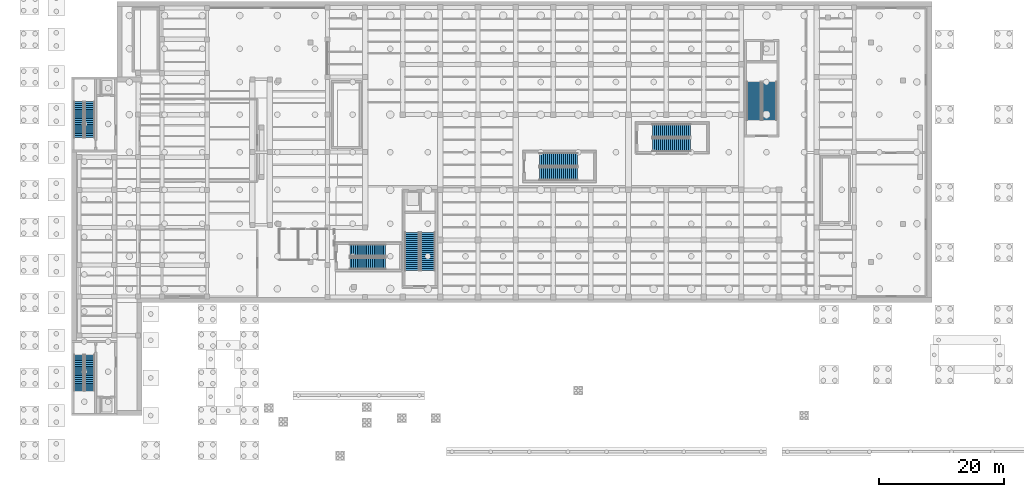
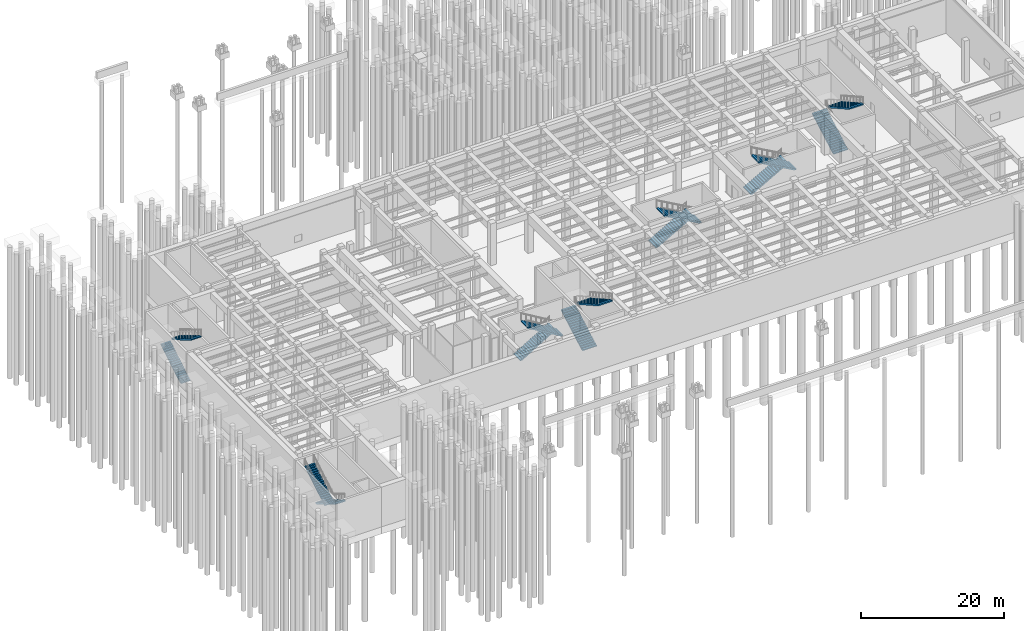
# One storey, part 20 of 30: 14 stair flights, 7 elements without a shape of their own.
"""IFC4 building model written with IfcOpenShell, lengths in metres."""

from ifc_helpers import new_model, si_unit, direction, frame, origin, place, context, subcontext, project, spatial, polyline, outline, extrude, material, type_object, element, aggregate, save


model = new_model("IFC4")

# Units and contexts
model_context = context("Model", 3, precision=1e-05, world=origin(), true_north=direction((0.0, 1.0)))
body_context = subcontext(model_context, "Body", "Model", "MODEL_VIEW")
ifc_project = project(units=[si_unit("LENGTHUNIT", "METRE"), si_unit("AREAUNIT", "SQUARE_METRE"), si_unit("VOLUMEUNIT", "CUBIC_METRE"), si_unit("PLANEANGLEUNIT", "RADIAN"), si_unit("MASSUNIT", "GRAM", prefix="KILO")], contexts=[model_context])

# Site, building, storey
site_placement = place(None, origin())
site = spatial("IfcSite", under=ifc_project, at=site_placement, CompositionType="ELEMENT")
building_placement = place(site_placement, origin())
building = spatial("IfcBuilding", under=site, at=building_placement, Name="Kolvaren Corner Interchange", CompositionType="ELEMENT")
storey_placement = place(building_placement, frame((0.0, 0.0, -7.199951171875)))
storey = spatial("IfcBuildingStorey", under=building, at=storey_placement, Name="B1", CompositionType="ELEMENT", Elevation=-7.199951171875)

# Stair, stair flights
ifc_material_1 = material(Name="Concrete C35/45", Category="concrete")
stair_type_1 = type_object("IfcStairType", Name="ST-FF-1550", PredefinedType="HALF_TURN_STAIR", material=ifc_material_1)
stair_1_placement = place(storey_placement, origin())
stair_1 = element("IfcStair", 1, at=stair_1_placement, inside=storey, type_object=stair_type_1, Name="Core C1 Southwest Firefighting Stair B1 to L01 Stair", PredefinedType="HALF_TURN_STAIR")
ifc_material_2 = material(Name="Concrete C35/45", Category="concrete")
stair_flight_type_1 = type_object("IfcStairFlightType", Name="SFT-FF-1550", PredefinedType="STRAIGHT", material=ifc_material_2)
stair_flight_1_placement = place(storey_placement, frame((10.074951171875, 15.64990234375, 0.0), z_axis=(0.0, 0.0, 1.0), x_axis=(0.0, -1.0, 0.0)))
stair_flight_1 = element("IfcStairFlight", 2, at=stair_flight_1_placement, type_object=stair_flight_type_1, Name="Core C1 Southwest Firefighting Stair B1 Lower Flight", NumberOfRisers=20, NumberOfTreads=19, PredefinedType="STRAIGHT", RiserHeight=0.18, TreadLength=0.3, context=body_context, shape_type="SweptSolid", body=[
    extrude(outline(polyline([(0.0, 0.0), (0.0, 0.179931640625), (0.300048828125, 0.179931640625), (0.300048828125, 0.360107421875), (0.60009765625, 0.360107421875), (0.60009765625, 0.5400390625), (0.89990234375, 0.5400390625), (0.89990234375, 0.719970703125), (1.199951171875, 0.719970703125), (1.199951171875, 0.89990234375), (1.5, 0.89990234375), (1.5, 1.080078125), (1.800048828125, 1.080078125), (1.800048828125, 1.260009765625), (2.10009765625, 1.260009765625), (2.10009765625, 1.43994140625), (2.39990234375, 1.43994140625), (2.39990234375, 1.6201171875), (2.699951171875, 1.6201171875), (2.699951171875, 1.800048828125), (3.0, 1.800048828125), (3.0, 1.97998046875), (3.300048828125, 1.97998046875), (3.300048828125, 2.159912109375), (3.60009765625, 2.159912109375), (3.60009765625, 2.340087890625), (3.89990234375, 2.340087890625), (3.89990234375, 2.52001953125), (4.199951171875, 2.52001953125), (4.199951171875, 2.699951171875), (4.5, 2.699951171875), (4.5, 2.8798828125), (4.800048828125, 2.8798828125), (4.800048828125, 3.06005859375), (5.10009765625, 3.06005859375), (5.10009765625, 3.239990234375), (5.39990234375, 3.239990234375), (5.39990234375, 3.419921875), (5.699951171875, 3.419921875), (5.699951171875, 3.60009765625), (5.699951171875, 3.2333984375), (0.310791015625, 0.0), (0.0, 0.0)])), frame((0.0, 0.77490234375, 0.0), z_axis=(0.0, -1.0, 0.0), x_axis=(1.0, 0.0, 0.0)), (0.0, 0.0, 1.0), 1.550048828125),
])
stair_flight_2_placement = place(storey_placement, frame((8.324951171875, 9.949951171875, 3.599853515625), z_axis=(0.0, 0.0, 1.0), x_axis=(0.0, 1.0, 0.0)))
stair_flight_2 = element("IfcStairFlight", 3, at=stair_flight_2_placement, type_object=stair_flight_type_1, Name="Core C1 Southwest Firefighting Stair B1 Upper Flight", NumberOfRisers=20, NumberOfTreads=19, PredefinedType="STRAIGHT", RiserHeight=0.18, TreadLength=0.3, context=body_context, shape_type="SweptSolid", body=[
    extrude(outline(polyline([(0.0, 0.0), (0.0, 0.179931640625), (0.300048828125, 0.179931640625), (0.300048828125, 0.360107421875), (0.60009765625, 0.360107421875), (0.60009765625, 0.5400390625), (0.89990234375, 0.5400390625), (0.89990234375, 0.719970703125), (1.199951171875, 0.719970703125), (1.199951171875, 0.89990234375), (1.5, 0.89990234375), (1.5, 1.080078125), (1.800048828125, 1.080078125), (1.800048828125, 1.260009765625), (2.10009765625, 1.260009765625), (2.10009765625, 1.43994140625), (2.39990234375, 1.43994140625), (2.39990234375, 1.6201171875), (2.699951171875, 1.6201171875), (2.699951171875, 1.800048828125), (3.0, 1.800048828125), (3.0, 1.97998046875), (3.300048828125, 1.97998046875), (3.300048828125, 2.159912109375), (3.60009765625, 2.159912109375), (3.60009765625, 2.340087890625), (3.89990234375, 2.340087890625), (3.89990234375, 2.52001953125), (4.199951171875, 2.52001953125), (4.199951171875, 2.699951171875), (4.5, 2.699951171875), (4.5, 2.8798828125), (4.800048828125, 2.8798828125), (4.800048828125, 3.06005859375), (5.10009765625, 3.06005859375), (5.10009765625, 3.239990234375), (5.39990234375, 3.239990234375), (5.39990234375, 3.419921875), (5.699951171875, 3.419921875), (5.699951171875, 3.60009765625), (5.699951171875, 3.2333984375), (0.310791015625, 0.0), (0.0, 0.0)])), frame((0.0, 0.77490234375, 0.0), z_axis=(0.0, -1.0, 0.0), x_axis=(1.0, 0.0, 0.0)), (0.0, 0.0, 1.0), 1.550048828125),
])
aggregate(stair_1, [stair_flight_1, stair_flight_2])

stair_2_placement = place(storey_placement, origin())
stair_2 = element("IfcStair", 4, at=stair_2_placement, inside=storey, type_object=stair_type_1, Name="Core C2 Northwest Firefighting Stair B1 to L01 Stair", PredefinedType="HALF_TURN_STAIR")
stair_flight_3_placement = place(storey_placement, frame((8.324951171875, 50.35009765625, 0.0), z_axis=(0.0, 0.0, 1.0), x_axis=(0.0, 1.0, 0.0)))
stair_flight_3 = element("IfcStairFlight", 5, at=stair_flight_3_placement, type_object=stair_flight_type_1, Name="Core C2 Northwest Firefighting Stair B1 Lower Flight", NumberOfRisers=20, NumberOfTreads=19, PredefinedType="STRAIGHT", RiserHeight=0.18, TreadLength=0.3, context=body_context, shape_type="SweptSolid", body=[
    extrude(outline(polyline([(0.0, 0.0), (0.0, 0.179931640625), (0.300048828125, 0.179931640625), (0.300048828125, 0.360107421875), (0.60009765625, 0.360107421875), (0.60009765625, 0.5400390625), (0.89990234375, 0.5400390625), (0.89990234375, 0.719970703125), (1.199951171875, 0.719970703125), (1.199951171875, 0.89990234375), (1.5, 0.89990234375), (1.5, 1.080078125), (1.800048828125, 1.080078125), (1.800048828125, 1.260009765625), (2.10009765625, 1.260009765625), (2.10009765625, 1.43994140625), (2.39990234375, 1.43994140625), (2.39990234375, 1.6201171875), (2.699951171875, 1.6201171875), (2.699951171875, 1.800048828125), (3.0, 1.800048828125), (3.0, 1.97998046875), (3.300048828125, 1.97998046875), (3.300048828125, 2.159912109375), (3.60009765625, 2.159912109375), (3.60009765625, 2.340087890625), (3.89990234375, 2.340087890625), (3.89990234375, 2.52001953125), (4.199951171875, 2.52001953125), (4.199951171875, 2.699951171875), (4.5, 2.699951171875), (4.5, 2.8798828125), (4.800048828125, 2.8798828125), (4.800048828125, 3.06005859375), (5.10009765625, 3.06005859375), (5.10009765625, 3.239990234375), (5.39990234375, 3.239990234375), (5.39990234375, 3.419921875), (5.699951171875, 3.419921875), (5.699951171875, 3.60009765625), (5.699951171875, 3.2333984375), (0.310791015625, 0.0), (0.0, 0.0)])), frame((0.0, 0.77490234375, 0.0), z_axis=(0.0, -1.0, 0.0), x_axis=(1.0, 0.0, 0.0)), (0.0, 0.0, 1.0), 1.550048828125),
])
stair_flight_4_placement = place(storey_placement, frame((10.074951171875, 56.050048828125, 3.599853515625), z_axis=(0.0, 0.0, 1.0), x_axis=(0.0, -1.0, 0.0)))
stair_flight_4 = element("IfcStairFlight", 6, at=stair_flight_4_placement, type_object=stair_flight_type_1, Name="Core C2 Northwest Firefighting Stair B1 Upper Flight", NumberOfRisers=20, NumberOfTreads=19, PredefinedType="STRAIGHT", RiserHeight=0.18, TreadLength=0.3, context=body_context, shape_type="SweptSolid", body=[
    extrude(outline(polyline([(0.0, 0.0), (0.0, 0.179931640625), (0.300048828125, 0.179931640625), (0.300048828125, 0.360107421875), (0.60009765625, 0.360107421875), (0.60009765625, 0.5400390625), (0.89990234375, 0.5400390625), (0.89990234375, 0.719970703125), (1.199951171875, 0.719970703125), (1.199951171875, 0.89990234375), (1.5, 0.89990234375), (1.5, 1.080078125), (1.800048828125, 1.080078125), (1.800048828125, 1.260009765625), (2.10009765625, 1.260009765625), (2.10009765625, 1.43994140625), (2.39990234375, 1.43994140625), (2.39990234375, 1.6201171875), (2.699951171875, 1.6201171875), (2.699951171875, 1.800048828125), (3.0, 1.800048828125), (3.0, 1.97998046875), (3.300048828125, 1.97998046875), (3.300048828125, 2.159912109375), (3.60009765625, 2.159912109375), (3.60009765625, 2.340087890625), (3.89990234375, 2.340087890625), (3.89990234375, 2.52001953125), (4.199951171875, 2.52001953125), (4.199951171875, 2.699951171875), (4.5, 2.699951171875), (4.5, 2.8798828125), (4.800048828125, 2.8798828125), (4.800048828125, 3.06005859375), (5.10009765625, 3.06005859375), (5.10009765625, 3.239990234375), (5.39990234375, 3.239990234375), (5.39990234375, 3.419921875), (5.699951171875, 3.419921875), (5.699951171875, 3.60009765625), (5.699951171875, 3.2333984375), (0.310791015625, 0.0), (0.0, 0.0)])), frame((0.0, 0.77490234375, 0.0), z_axis=(0.0, -1.0, 0.0), x_axis=(1.0, 0.0, 0.0)), (0.0, 0.0, 1.0), 1.550048828125),
])
aggregate(stair_2, [stair_flight_3, stair_flight_4])

ifc_material_3 = material(Name="Concrete C35/45", Category="concrete")
stair_type_2 = type_object("IfcStairType", Name="ST-M1-1900", PredefinedType="HALF_TURN_STAIR", material=ifc_material_3)
stair_3_placement = place(storey_placement, origin())
stair_3 = element("IfcStair", 7, at=stair_3_placement, inside=storey, type_object=stair_type_2, Name="Metro West Plant and Gateline Exit Stair B1 to L01 Stair", PredefinedType="HALF_TURN_STAIR")
ifc_material_4 = material(Name="Concrete C35/45", Category="concrete")
stair_flight_type_2 = type_object("IfcStairFlightType", Name="SFT-M1-1900", PredefinedType="STRAIGHT", material=ifc_material_4)
stair_flight_5_placement = place(storey_placement, frame((51.550048828125, 32.35009765625, 0.0), z_axis=(0.0, 0.0, 1.0), x_axis=(1.0, 0.0, 0.0)))
stair_flight_5 = element("IfcStairFlight", 8, at=stair_flight_5_placement, type_object=stair_flight_type_2, Name="Metro West Plant and Gateline Exit Stair B1 Lower Flight", NumberOfRisers=20, NumberOfTreads=19, PredefinedType="STRAIGHT", RiserHeight=0.18, TreadLength=0.3, context=body_context, shape_type="SweptSolid", body=[
    extrude(outline(polyline([(0.0, 0.0), (0.0, 0.179931640625), (0.300048828125, 0.179931640625), (0.300048828125, 0.360107421875), (0.60009765625, 0.360107421875), (0.60009765625, 0.5400390625), (0.89990234375, 0.5400390625), (0.89990234375, 0.719970703125), (1.199951171875, 0.719970703125), (1.199951171875, 0.89990234375), (1.5, 0.89990234375), (1.5, 1.080078125), (1.800048828125, 1.080078125), (1.800048828125, 1.260009765625), (2.10009765625, 1.260009765625), (2.10009765625, 1.43994140625), (2.39990234375, 1.43994140625), (2.39990234375, 1.6201171875), (2.699951171875, 1.6201171875), (2.699951171875, 1.800048828125), (3.0, 1.800048828125), (3.0, 1.97998046875), (3.300048828125, 1.97998046875), (3.300048828125, 2.159912109375), (3.60009765625, 2.159912109375), (3.60009765625, 2.340087890625), (3.89990234375, 2.340087890625), (3.89990234375, 2.52001953125), (4.199951171875, 2.52001953125), (4.199951171875, 2.699951171875), (4.5, 2.699951171875), (4.5, 2.8798828125), (4.800048828125, 2.8798828125), (4.800048828125, 3.06005859375), (5.10009765625, 3.06005859375), (5.10009765625, 3.239990234375), (5.39990234375, 3.239990234375), (5.39990234375, 3.419921875), (5.699951171875, 3.419921875), (5.699951171875, 3.60009765625), (5.699951171875, 3.221923828125), (0.330322265625, 0.0), (0.0, 0.0)])), frame((0.0, 0.949951171875, 0.0), z_axis=(0.0, -1.0, 0.0), x_axis=(1.0, 0.0, 0.0)), (0.0, 0.0, 1.0), 1.89990234375),
])
stair_flight_6_placement = place(storey_placement, frame((57.25, 30.25, 3.599853515625), z_axis=(0.0, 0.0, 1.0), x_axis=(-1.0, 0.0, 0.0)))
stair_flight_6 = element("IfcStairFlight", 9, at=stair_flight_6_placement, type_object=stair_flight_type_2, Name="Metro West Plant and Gateline Exit Stair B1 Upper Flight", NumberOfRisers=20, NumberOfTreads=19, PredefinedType="STRAIGHT", RiserHeight=0.18, TreadLength=0.3, context=body_context, shape_type="SweptSolid", body=[
    extrude(outline(polyline([(0.0, 0.0), (0.0, 0.179931640625), (0.300048828125, 0.179931640625), (0.300048828125, 0.360107421875), (0.60009765625, 0.360107421875), (0.60009765625, 0.5400390625), (0.89990234375, 0.5400390625), (0.89990234375, 0.719970703125), (1.199951171875, 0.719970703125), (1.199951171875, 0.89990234375), (1.5, 0.89990234375), (1.5, 1.080078125), (1.800048828125, 1.080078125), (1.800048828125, 1.260009765625), (2.10009765625, 1.260009765625), (2.10009765625, 1.43994140625), (2.39990234375, 1.43994140625), (2.39990234375, 1.6201171875), (2.699951171875, 1.6201171875), (2.699951171875, 1.800048828125), (3.0, 1.800048828125), (3.0, 1.97998046875), (3.300048828125, 1.97998046875), (3.300048828125, 2.159912109375), (3.60009765625, 2.159912109375), (3.60009765625, 2.340087890625), (3.89990234375, 2.340087890625), (3.89990234375, 2.52001953125), (4.199951171875, 2.52001953125), (4.199951171875, 2.699951171875), (4.5, 2.699951171875), (4.5, 2.8798828125), (4.800048828125, 2.8798828125), (4.800048828125, 3.06005859375), (5.10009765625, 3.06005859375), (5.10009765625, 3.239990234375), (5.39990234375, 3.239990234375), (5.39990234375, 3.419921875), (5.699951171875, 3.419921875), (5.699951171875, 3.60009765625), (5.699951171875, 3.221923828125), (0.330322265625, 0.0), (0.0, 0.0)])), frame((0.0, 0.949951171875, 0.0), z_axis=(0.0, -1.0, 0.0), x_axis=(1.0, 0.0, 0.0)), (0.0, 0.0, 1.0), 1.89990234375),
])
aggregate(stair_3, [stair_flight_5, stair_flight_6])

ifc_material_5 = material(Name="Concrete C35/45", Category="concrete")
stair_type_3 = type_object("IfcStairType", Name="ST-PL-2100", PredefinedType="HALF_TURN_STAIR", material=ifc_material_5)
stair_4_placement = place(storey_placement, origin())
stair_4 = element("IfcStair", 10, at=stair_4_placement, inside=storey, type_object=stair_type_3, Name="Metro Island Platform West Transfer Stair B1 to L01 Stair", PredefinedType="HALF_TURN_STAIR")
ifc_material_6 = material(Name="Concrete C35/45", Category="concrete")
stair_flight_type_3 = type_object("IfcStairFlightType", Name="SFT-PL-2100", PredefinedType="STRAIGHT", material=ifc_material_6)
stair_flight_7_placement = place(storey_placement, frame((81.800048828125, 46.85009765625, 0.0), z_axis=(0.0, 0.0, 1.0), x_axis=(1.0, 0.0, 0.0)))
stair_flight_7 = element("IfcStairFlight", 11, at=stair_flight_7_placement, type_object=stair_flight_type_3, Name="Metro Island Platform West Transfer Stair B1 Lower Flight", NumberOfRisers=20, NumberOfTreads=19, PredefinedType="STRAIGHT", RiserHeight=0.18, TreadLength=0.32, context=body_context, shape_type="SweptSolid", body=[
    extrude(outline(polyline([(0.0, 0.0), (0.0, 0.179931640625), (0.320068359375, 0.179931640625), (0.320068359375, 0.360107421875), (0.639892578125, 0.360107421875), (0.639892578125, 0.5400390625), (0.9599609375, 0.5400390625), (0.9599609375, 0.719970703125), (1.280029296875, 0.719970703125), (1.280029296875, 0.89990234375), (1.60009765625, 0.89990234375), (1.60009765625, 1.080078125), (1.919921875, 1.080078125), (1.919921875, 1.260009765625), (2.239990234375, 1.260009765625), (2.239990234375, 1.43994140625), (2.56005859375, 1.43994140625), (2.56005859375, 1.6201171875), (2.8798828125, 1.6201171875), (2.8798828125, 1.800048828125), (3.199951171875, 1.800048828125), (3.199951171875, 1.97998046875), (3.52001953125, 1.97998046875), (3.52001953125, 2.159912109375), (3.840087890625, 2.159912109375), (3.840087890625, 2.340087890625), (4.159912109375, 2.340087890625), (4.159912109375, 2.52001953125), (4.47998046875, 2.52001953125), (4.47998046875, 2.699951171875), (4.800048828125, 2.699951171875), (4.800048828125, 2.8798828125), (5.1201171875, 2.8798828125), (5.1201171875, 3.06005859375), (5.43994140625, 3.06005859375), (5.43994140625, 3.239990234375), (5.760009765625, 3.239990234375), (5.760009765625, 3.419921875), (6.080078125, 3.419921875), (6.080078125, 3.60009765625), (6.080078125, 3.213623046875), (0.366943359375, 0.0), (0.0, 0.0)])), frame((0.0, 1.050048828125, 0.0), z_axis=(0.0, -1.0, 0.0), x_axis=(1.0, 0.0, 0.0)), (0.0, 0.0, 1.0), 2.10009765625),
])
stair_flight_8_placement = place(storey_placement, frame((87.8798828125, 44.550048828125, 3.599853515625), z_axis=(0.0, 0.0, 1.0), x_axis=(-1.0, 0.0, 0.0)))
stair_flight_8 = element("IfcStairFlight", 12, at=stair_flight_8_placement, type_object=stair_flight_type_3, Name="Metro Island Platform West Transfer Stair B1 Upper Flight", NumberOfRisers=20, NumberOfTreads=19, PredefinedType="STRAIGHT", RiserHeight=0.18, TreadLength=0.32, context=body_context, shape_type="SweptSolid", body=[
    extrude(outline(polyline([(0.0, 0.0), (0.0, 0.179931640625), (0.320068359375, 0.179931640625), (0.320068359375, 0.360107421875), (0.639892578125, 0.360107421875), (0.639892578125, 0.5400390625), (0.9599609375, 0.5400390625), (0.9599609375, 0.719970703125), (1.280029296875, 0.719970703125), (1.280029296875, 0.89990234375), (1.60009765625, 0.89990234375), (1.60009765625, 1.080078125), (1.919921875, 1.080078125), (1.919921875, 1.260009765625), (2.239990234375, 1.260009765625), (2.239990234375, 1.43994140625), (2.56005859375, 1.43994140625), (2.56005859375, 1.6201171875), (2.8798828125, 1.6201171875), (2.8798828125, 1.800048828125), (3.199951171875, 1.800048828125), (3.199951171875, 1.97998046875), (3.52001953125, 1.97998046875), (3.52001953125, 2.159912109375), (3.840087890625, 2.159912109375), (3.840087890625, 2.340087890625), (4.159912109375, 2.340087890625), (4.159912109375, 2.52001953125), (4.47998046875, 2.52001953125), (4.47998046875, 2.699951171875), (4.800048828125, 2.699951171875), (4.800048828125, 2.8798828125), (5.1201171875, 2.8798828125), (5.1201171875, 3.06005859375), (5.43994140625, 3.06005859375), (5.43994140625, 3.239990234375), (5.760009765625, 3.239990234375), (5.760009765625, 3.419921875), (6.080078125, 3.419921875), (6.080078125, 3.60009765625), (6.080078125, 3.213623046875), (0.366943359375, 0.0), (0.0, 0.0)])), frame((0.0, 1.050048828125, 0.0), z_axis=(0.0, -1.0, 0.0), x_axis=(1.0, 0.0, 0.0)), (0.0, 0.0, 1.0), 2.10009765625),
])
aggregate(stair_4, [stair_flight_7, stair_flight_8])

stair_5_placement = place(storey_placement, origin())
stair_5 = element("IfcStair", 13, at=stair_5_placement, inside=storey, type_object=stair_type_3, Name="Metro Island Platform East Transfer Stair B1 to L01 Stair", PredefinedType="HALF_TURN_STAIR")
stair_flight_9_placement = place(storey_placement, frame((99.800048828125, 51.449951171875, 0.0), z_axis=(0.0, 0.0, 1.0), x_axis=(1.0, 0.0, 0.0)))
stair_flight_9 = element("IfcStairFlight", 14, at=stair_flight_9_placement, type_object=stair_flight_type_3, Name="Metro Island Platform East Transfer Stair B1 Lower Flight", NumberOfRisers=20, NumberOfTreads=19, PredefinedType="STRAIGHT", RiserHeight=0.18, TreadLength=0.32, context=body_context, shape_type="SweptSolid", body=[
    extrude(outline(polyline([(0.0, 0.0), (0.0, 0.179931640625), (0.320068359375, 0.179931640625), (0.320068359375, 0.360107421875), (0.639892578125, 0.360107421875), (0.639892578125, 0.5400390625), (0.9599609375, 0.5400390625), (0.9599609375, 0.719970703125), (1.280029296875, 0.719970703125), (1.280029296875, 0.89990234375), (1.60009765625, 0.89990234375), (1.60009765625, 1.080078125), (1.919921875, 1.080078125), (1.919921875, 1.260009765625), (2.239990234375, 1.260009765625), (2.239990234375, 1.43994140625), (2.56005859375, 1.43994140625), (2.56005859375, 1.6201171875), (2.8798828125, 1.6201171875), (2.8798828125, 1.800048828125), (3.199951171875, 1.800048828125), (3.199951171875, 1.97998046875), (3.52001953125, 1.97998046875), (3.52001953125, 2.159912109375), (3.840087890625, 2.159912109375), (3.840087890625, 2.340087890625), (4.159912109375, 2.340087890625), (4.159912109375, 2.52001953125), (4.47998046875, 2.52001953125), (4.47998046875, 2.699951171875), (4.800048828125, 2.699951171875), (4.800048828125, 2.8798828125), (5.1201171875, 2.8798828125), (5.1201171875, 3.06005859375), (5.43994140625, 3.06005859375), (5.43994140625, 3.239990234375), (5.760009765625, 3.239990234375), (5.760009765625, 3.419921875), (6.080078125, 3.419921875), (6.080078125, 3.60009765625), (6.080078125, 3.213623046875), (0.366943359375, 0.0), (0.0, 0.0)])), frame((0.0, 1.050048828125, 0.0), z_axis=(0.0, -1.0, 0.0), x_axis=(1.0, 0.0, 0.0)), (0.0, 0.0, 1.0), 2.10009765625),
])
stair_flight_10_placement = place(storey_placement, frame((105.8798828125, 49.14990234375, 3.599853515625), z_axis=(0.0, 0.0, 1.0), x_axis=(-1.0, 0.0, 0.0)))
stair_flight_10 = element("IfcStairFlight", 15, at=stair_flight_10_placement, type_object=stair_flight_type_3, Name="Metro Island Platform East Transfer Stair B1 Upper Flight", NumberOfRisers=20, NumberOfTreads=19, PredefinedType="STRAIGHT", RiserHeight=0.18, TreadLength=0.32, context=body_context, shape_type="SweptSolid", body=[
    extrude(outline(polyline([(0.0, 0.0), (0.0, 0.179931640625), (0.320068359375, 0.179931640625), (0.320068359375, 0.360107421875), (0.639892578125, 0.360107421875), (0.639892578125, 0.5400390625), (0.9599609375, 0.5400390625), (0.9599609375, 0.719970703125), (1.280029296875, 0.719970703125), (1.280029296875, 0.89990234375), (1.60009765625, 0.89990234375), (1.60009765625, 1.080078125), (1.919921875, 1.080078125), (1.919921875, 1.260009765625), (2.239990234375, 1.260009765625), (2.239990234375, 1.43994140625), (2.56005859375, 1.43994140625), (2.56005859375, 1.6201171875), (2.8798828125, 1.6201171875), (2.8798828125, 1.800048828125), (3.199951171875, 1.800048828125), (3.199951171875, 1.97998046875), (3.52001953125, 1.97998046875), (3.52001953125, 2.159912109375), (3.840087890625, 2.159912109375), (3.840087890625, 2.340087890625), (4.159912109375, 2.340087890625), (4.159912109375, 2.52001953125), (4.47998046875, 2.52001953125), (4.47998046875, 2.699951171875), (4.800048828125, 2.699951171875), (4.800048828125, 2.8798828125), (5.1201171875, 2.8798828125), (5.1201171875, 3.06005859375), (5.43994140625, 3.06005859375), (5.43994140625, 3.239990234375), (5.760009765625, 3.239990234375), (5.760009765625, 3.419921875), (6.080078125, 3.419921875), (6.080078125, 3.60009765625), (6.080078125, 3.213623046875), (0.366943359375, 0.0), (0.0, 0.0)])), frame((0.0, 1.050048828125, 0.0), z_axis=(0.0, -1.0, 0.0), x_axis=(1.0, 0.0, 0.0)), (0.0, 0.0, 1.0), 2.10009765625),
])
aggregate(stair_5, [stair_flight_9, stair_flight_10])

ifc_material_7 = material(Name="Concrete C35/45", Category="concrete")
stair_type_4 = type_object("IfcStairType", Name="ST-TR-2300", PredefinedType="HALF_TURN_STAIR", material=ifc_material_7)
stair_6_placement = place(storey_placement, origin())
stair_6 = element("IfcStair", 16, at=stair_6_placement, inside=storey, type_object=stair_type_4, Name="Core C3 West Concourse Transfer Stair B1 to L01 Stair", PredefinedType="HALF_TURN_STAIR")
ifc_material_8 = material(Name="Concrete C35/45", Category="concrete")
stair_flight_type_4 = type_object("IfcStairFlightType", Name="SFT-TR-2300", PredefinedType="STRAIGHT", material=ifc_material_8)
stair_flight_11_placement = place(storey_placement, frame((61.5, 29.14990234375, 0.0), z_axis=(0.0, 0.0, 1.0), x_axis=(0.0, 1.0, 0.0)))
stair_flight_11 = element("IfcStairFlight", 17, at=stair_flight_11_placement, type_object=stair_flight_type_4, Name="Core C3 West Concourse Transfer Stair B1 Lower Flight", NumberOfRisers=20, NumberOfTreads=19, PredefinedType="STRAIGHT", RiserHeight=0.18, TreadLength=0.32, context=body_context, shape_type="SweptSolid", body=[
    extrude(outline(polyline([(0.0, 0.0), (0.0, 0.179931640625), (0.320068359375, 0.179931640625), (0.320068359375, 0.360107421875), (0.639892578125, 0.360107421875), (0.639892578125, 0.5400390625), (0.9599609375, 0.5400390625), (0.9599609375, 0.719970703125), (1.280029296875, 0.719970703125), (1.280029296875, 0.89990234375), (1.60009765625, 0.89990234375), (1.60009765625, 1.080078125), (1.919921875, 1.080078125), (1.919921875, 1.260009765625), (2.239990234375, 1.260009765625), (2.239990234375, 1.43994140625), (2.56005859375, 1.43994140625), (2.56005859375, 1.6201171875), (2.8798828125, 1.6201171875), (2.8798828125, 1.800048828125), (3.199951171875, 1.800048828125), (3.199951171875, 1.97998046875), (3.52001953125, 1.97998046875), (3.52001953125, 2.159912109375), (3.840087890625, 2.159912109375), (3.840087890625, 2.340087890625), (4.159912109375, 2.340087890625), (4.159912109375, 2.52001953125), (4.47998046875, 2.52001953125), (4.47998046875, 2.699951171875), (4.800048828125, 2.699951171875), (4.800048828125, 2.8798828125), (5.1201171875, 2.8798828125), (5.1201171875, 3.06005859375), (5.43994140625, 3.06005859375), (5.43994140625, 3.239990234375), (5.760009765625, 3.239990234375), (5.760009765625, 3.419921875), (6.080078125, 3.419921875), (6.080078125, 3.60009765625), (6.080078125, 3.2021484375), (0.387451171875, 0.0), (0.0, 0.0)])), frame((0.0, 1.14990234375, 0.0), z_axis=(0.0, -1.0, 0.0), x_axis=(1.0, 0.0, 0.0)), (0.0, 0.0, 1.0), 2.300048828125),
])
stair_flight_12_placement = place(storey_placement, frame((64.0, 35.22998046875, 3.599853515625), z_axis=(0.0, 0.0, 1.0), x_axis=(0.0, -1.0, 0.0)))
stair_flight_12 = element("IfcStairFlight", 18, at=stair_flight_12_placement, type_object=stair_flight_type_4, Name="Core C3 West Concourse Transfer Stair B1 Upper Flight", NumberOfRisers=20, NumberOfTreads=19, PredefinedType="STRAIGHT", RiserHeight=0.18, TreadLength=0.32, context=body_context, shape_type="SweptSolid", body=[
    extrude(outline(polyline([(0.0, 0.0), (0.0, 0.179931640625), (0.320068359375, 0.179931640625), (0.320068359375, 0.360107421875), (0.639892578125, 0.360107421875), (0.639892578125, 0.5400390625), (0.9599609375, 0.5400390625), (0.9599609375, 0.719970703125), (1.280029296875, 0.719970703125), (1.280029296875, 0.89990234375), (1.60009765625, 0.89990234375), (1.60009765625, 1.080078125), (1.919921875, 1.080078125), (1.919921875, 1.260009765625), (2.239990234375, 1.260009765625), (2.239990234375, 1.43994140625), (2.56005859375, 1.43994140625), (2.56005859375, 1.6201171875), (2.8798828125, 1.6201171875), (2.8798828125, 1.800048828125), (3.199951171875, 1.800048828125), (3.199951171875, 1.97998046875), (3.52001953125, 1.97998046875), (3.52001953125, 2.159912109375), (3.840087890625, 2.159912109375), (3.840087890625, 2.340087890625), (4.159912109375, 2.340087890625), (4.159912109375, 2.52001953125), (4.47998046875, 2.52001953125), (4.47998046875, 2.699951171875), (4.800048828125, 2.699951171875), (4.800048828125, 2.8798828125), (5.1201171875, 2.8798828125), (5.1201171875, 3.06005859375), (5.43994140625, 3.06005859375), (5.43994140625, 3.239990234375), (5.760009765625, 3.239990234375), (5.760009765625, 3.419921875), (6.080078125, 3.419921875), (6.080078125, 3.60009765625), (6.080078125, 3.2021484375), (0.387451171875, 0.0), (0.0, 0.0)])), frame((0.0, 1.14990234375, 0.0), z_axis=(0.0, -1.0, 0.0), x_axis=(1.0, 0.0, 0.0)), (0.0, 0.0, 1.0), 2.300048828125),
])
aggregate(stair_6, [stair_flight_11, stair_flight_12])

stair_7_placement = place(storey_placement, origin())
stair_7 = element("IfcStair", 19, at=stair_7_placement, inside=storey, type_object=stair_type_4, Name="Core C4 East Concourse Transfer Stair B1 to L01 Stair", PredefinedType="HALF_TURN_STAIR")
stair_flight_13_placement = place(storey_placement, frame((116.0, 53.14990234375, 0.0), z_axis=(0.0, 0.0, 1.0), x_axis=(0.0, 1.0, 0.0)))
stair_flight_13 = element("IfcStairFlight", 20, at=stair_flight_13_placement, type_object=stair_flight_type_4, Name="Core C4 East Concourse Transfer Stair B1 Lower Flight", NumberOfRisers=20, NumberOfTreads=19, PredefinedType="STRAIGHT", RiserHeight=0.18, TreadLength=0.32, context=body_context, shape_type="SweptSolid", body=[
    extrude(outline(polyline([(0.0, 0.0), (0.0, 0.179931640625), (0.320068359375, 0.179931640625), (0.320068359375, 0.360107421875), (0.639892578125, 0.360107421875), (0.639892578125, 0.5400390625), (0.9599609375, 0.5400390625), (0.9599609375, 0.719970703125), (1.280029296875, 0.719970703125), (1.280029296875, 0.89990234375), (1.60009765625, 0.89990234375), (1.60009765625, 1.080078125), (1.919921875, 1.080078125), (1.919921875, 1.260009765625), (2.239990234375, 1.260009765625), (2.239990234375, 1.43994140625), (2.56005859375, 1.43994140625), (2.56005859375, 1.6201171875), (2.8798828125, 1.6201171875), (2.8798828125, 1.800048828125), (3.199951171875, 1.800048828125), (3.199951171875, 1.97998046875), (3.52001953125, 1.97998046875), (3.52001953125, 2.159912109375), (3.840087890625, 2.159912109375), (3.840087890625, 2.340087890625), (4.159912109375, 2.340087890625), (4.159912109375, 2.52001953125), (4.47998046875, 2.52001953125), (4.47998046875, 2.699951171875), (4.800048828125, 2.699951171875), (4.800048828125, 2.8798828125), (5.1201171875, 2.8798828125), (5.1201171875, 3.06005859375), (5.43994140625, 3.06005859375), (5.43994140625, 3.239990234375), (5.760009765625, 3.239990234375), (5.760009765625, 3.419921875), (6.080078125, 3.419921875), (6.080078125, 3.60009765625), (6.080078125, 3.2021484375), (0.387451171875, 0.0), (0.0, 0.0)])), frame((0.0, 1.14990234375, 0.0), z_axis=(0.0, -1.0, 0.0), x_axis=(1.0, 0.0, 0.0)), (0.0, 0.0, 1.0), 2.300048828125),
])
stair_flight_14_placement = place(storey_placement, frame((118.5, 59.22998046875, 3.599853515625), z_axis=(0.0, 0.0, 1.0), x_axis=(0.0, -1.0, 0.0)))
stair_flight_14 = element("IfcStairFlight", 21, at=stair_flight_14_placement, type_object=stair_flight_type_4, Name="Core C4 East Concourse Transfer Stair B1 Upper Flight", NumberOfRisers=20, NumberOfTreads=19, PredefinedType="STRAIGHT", RiserHeight=0.18, TreadLength=0.32, context=body_context, shape_type="SweptSolid", body=[
    extrude(outline(polyline([(0.0, 0.0), (0.0, 0.179931640625), (0.320068359375, 0.179931640625), (0.320068359375, 0.360107421875), (0.639892578125, 0.360107421875), (0.639892578125, 0.5400390625), (0.9599609375, 0.5400390625), (0.9599609375, 0.719970703125), (1.280029296875, 0.719970703125), (1.280029296875, 0.89990234375), (1.60009765625, 0.89990234375), (1.60009765625, 1.080078125), (1.919921875, 1.080078125), (1.919921875, 1.260009765625), (2.239990234375, 1.260009765625), (2.239990234375, 1.43994140625), (2.56005859375, 1.43994140625), (2.56005859375, 1.6201171875), (2.8798828125, 1.6201171875), (2.8798828125, 1.800048828125), (3.199951171875, 1.800048828125), (3.199951171875, 1.97998046875), (3.52001953125, 1.97998046875), (3.52001953125, 2.159912109375), (3.840087890625, 2.159912109375), (3.840087890625, 2.340087890625), (4.159912109375, 2.340087890625), (4.159912109375, 2.52001953125), (4.47998046875, 2.52001953125), (4.47998046875, 2.699951171875), (4.800048828125, 2.699951171875), (4.800048828125, 2.8798828125), (5.1201171875, 2.8798828125), (5.1201171875, 3.06005859375), (5.43994140625, 3.06005859375), (5.43994140625, 3.239990234375), (5.760009765625, 3.239990234375), (5.760009765625, 3.419921875), (6.080078125, 3.419921875), (6.080078125, 3.60009765625), (6.080078125, 3.2021484375), (0.387451171875, 0.0), (0.0, 0.0)])), frame((0.0, 1.14990234375, 0.0), z_axis=(0.0, -1.0, 0.0), x_axis=(1.0, 0.0, 0.0)), (0.0, 0.0, 1.0), 2.300048828125),
])
aggregate(stair_7, [stair_flight_13, stair_flight_14])

save(model, "model.ifc")
